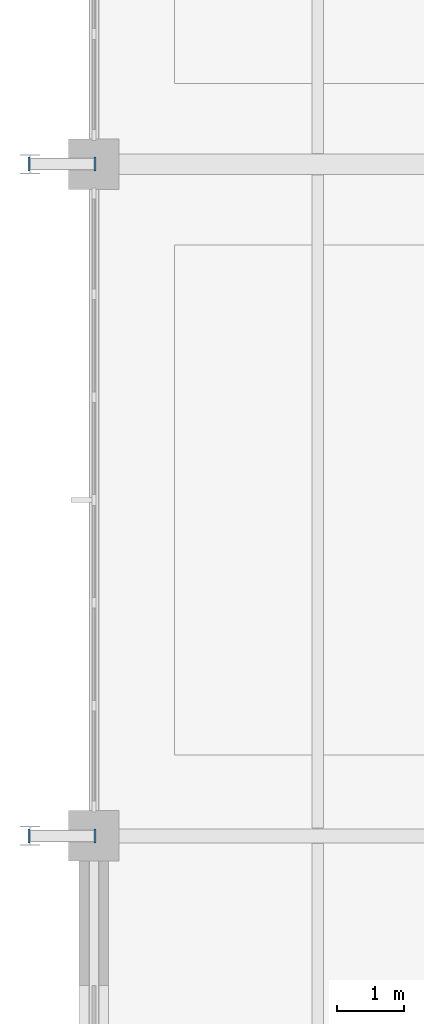
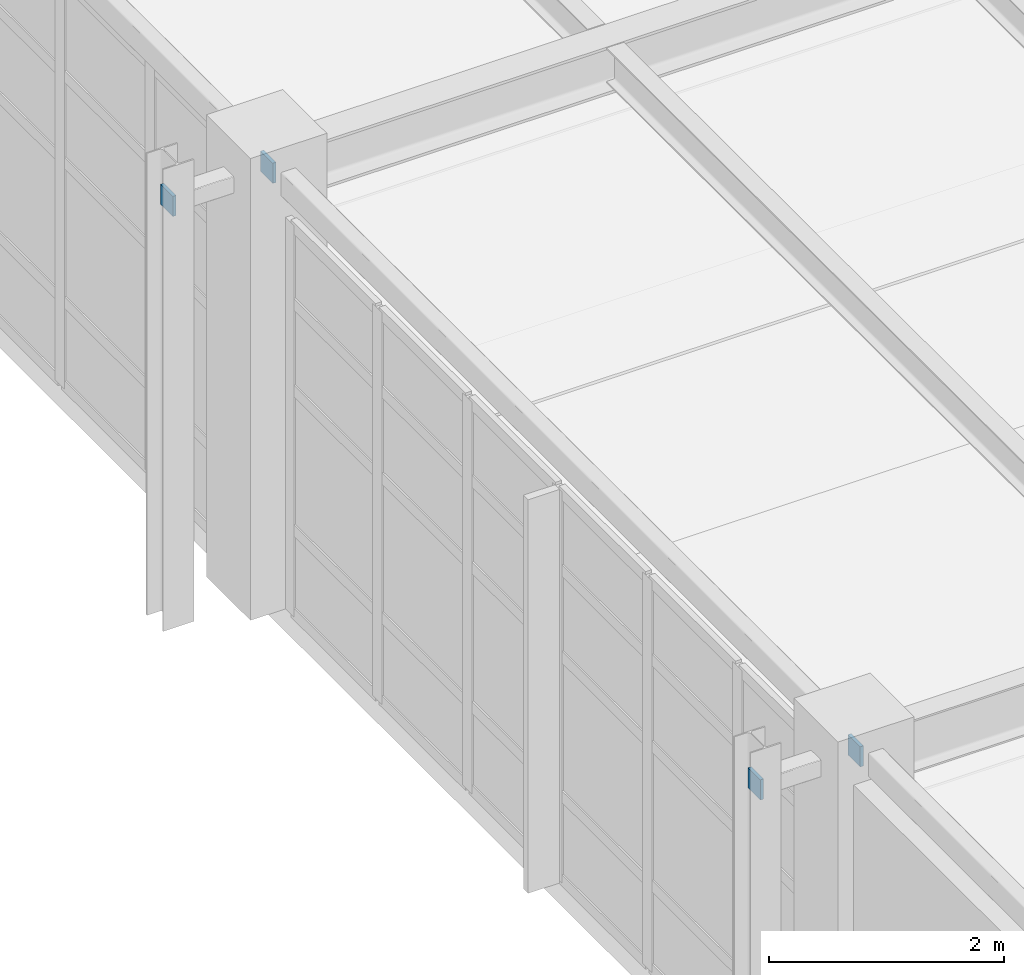
# One storey, part 106 of 139: 4 plates.
"""IFC4 building model written with IfcOpenShell, lengths in metres."""

import ifcopenshell
import ifcopenshell.guid

model = None  # the IFC model being written
_history = None  # IfcOwnerHistory: only IFC2X3 demands one
_inside = {}  # id of a spatial element -> (the spatial element, [elements in it])
_under = {}  # id of a project, library or spatial element -> (it, [spatial elements below it])
_declared = {}  # id of a project -> (the project, [libraries it declares])
_typed = {}  # id of a type object -> (the type object, [elements of that type])
_made_of = {}  # id of a material, layer set ... -> (it, [elements and type objects made of it])


def new_model(schema):
    """Start an empty IFC model of exactly this schema.

    Asked for "IFC4X3", IfcOpenShell would pick the latest addendum, in which some entities
    have other attributes; the version numbers below select the first issue.
    IFC2X3 requires an IfcOwnerHistory on every rooted entity: one is made here for all.
    """
    global model, _history
    if schema == "IFC4X3":
        model = ifcopenshell.file(schema_version=(4, 3, 0, 0))
    else:
        model = ifcopenshell.file(schema=schema)
    _inside.clear()
    _under.clear()
    _declared.clear()
    _typed.clear()
    _made_of.clear()
    _history = None
    if model.schema == "IFC2X3":
        org = make("IfcOrganization", Name="unknown")
        user = make(
            "IfcPersonAndOrganization",
            ThePerson=make("IfcPerson", FamilyName="unknown"),
            TheOrganization=org,
        )
        app = make(
            "IfcApplication",
            ApplicationDeveloper=org,
            Version="unknown",
            ApplicationFullName="unknown",
            ApplicationIdentifier="unknown",
        )
        _history = make(
            "IfcOwnerHistory",
            OwningUser=user,
            OwningApplication=app,
            ChangeAction="ADDED",
            CreationDate=0,
        )
    return model


def make(cls, **values):
    """One entity of the class cls with the attributes given. An attribute that is None is left unset."""
    return model.create_entity(
        cls, **{name: value for name, value in values.items() if value is not None}
    )


def rooted(cls, **values):
    """An entity with a GlobalId (a new one), such as an element, a storey or a relation."""
    return make(cls, GlobalId=ifcopenshell.guid.new(), OwnerHistory=_history, **values)


def si_unit(unit_type, name, prefix=None):
    """IfcSIUnit, for example si_unit("LENGTHUNIT", "METRE", prefix="MILLI")."""
    return make("IfcSIUnit", UnitType=unit_type, Prefix=prefix, Name=name)


def assignment(units):
    """IfcUnitAssignment: the units of a project."""
    return None if units is None else make("IfcUnitAssignment", Units=units)


def point(xyz):
    """IfcCartesianPoint."""
    return None if xyz is None else make("IfcCartesianPoint", Coordinates=xyz)


def direction(xyz):
    """IfcDirection."""
    return None if xyz is None else make("IfcDirection", DirectionRatios=xyz)


def frame(location, z_axis=None, x_axis=None):
    """IfcAxis2Placement3D, a coordinate frame: its origin and axes. An axis left out is left unset."""
    return make(
        "IfcAxis2Placement3D",
        Location=point(location),
        Axis=direction(z_axis),
        RefDirection=direction(x_axis),
    )


def frame_2d(location, x_axis=None):
    """IfcAxis2Placement2D, a coordinate frame in the plane: its origin and x axis."""
    return make(
        "IfcAxis2Placement2D", Location=point(location), RefDirection=direction(x_axis)
    )


def origin():
    """The frame at (0, 0, 0) with its axes left unset."""
    return frame((0.0, 0.0, 0.0))


def origin_2d():
    """The frame at (0, 0) in the plane with its x axis left unset."""
    return frame_2d((0.0, 0.0))


def place(relative_to, where):
    """IfcLocalPlacement: puts the frame where relative to a parent placement (None: the world)."""
    return make(
        "IfcLocalPlacement", PlacementRelTo=relative_to, RelativePlacement=where
    )


def context(
    kind, dimensions, precision=None, world=None, true_north=None, identifier=None
):
    """IfcGeometricRepresentationContext, for example the 3D "Model" context."""
    return make(
        "IfcGeometricRepresentationContext",
        ContextIdentifier=identifier,
        ContextType=kind,
        CoordinateSpaceDimension=dimensions,
        Precision=precision,
        WorldCoordinateSystem=world,
        TrueNorth=true_north,
    )


def subcontext(parent, identifier, kind, view, scale=None):
    """IfcGeometricRepresentationSubContext, for example "Body" below "Model"."""
    return make(
        "IfcGeometricRepresentationSubContext",
        ContextIdentifier=identifier,
        ContextType=kind,
        ParentContext=parent,
        TargetScale=scale,
        TargetView=view,
    )


def project(units=None, contexts=None):
    """IfcProject with its units and contexts."""
    return rooted(
        "IfcProject",
        Name="project",
        RepresentationContexts=contexts,
        UnitsInContext=assignment(units),
    )


def spatial(cls, under=None, at=None, **own):
    """A site, building, storey or space (cls), placed at a placement, below another one or the project."""
    s = rooted(cls, ObjectPlacement=at, **own)
    if under is not None:
        _under.setdefault(under.id(), (under, []))[1].append(s)
    return s


def profile(cls, at=None, kind="AREA", **sizes):
    """A parametric profile (cls). Its sizes go by their IFC names, for example OverallWidth=200.0."""
    return make(cls, ProfileType=kind, Position=at, **sizes)


def rectangle(**sizes):
    """IfcRectangleProfileDef."""
    return profile("IfcRectangleProfileDef", **sizes)


def extrude(swept, where, along, depth):
    """IfcExtrudedAreaSolid: the profile swept, set in the frame where, extruded along a direction by depth."""
    return make(
        "IfcExtrudedAreaSolid",
        SweptArea=swept,
        Position=where,
        ExtrudedDirection=direction(along),
        Depth=depth,
    )


def shape(context_of_items, identifier, shape_type, items):
    """IfcShapeRepresentation: the items that make up one representation, for example the "Body"."""
    return make(
        "IfcShapeRepresentation",
        ContextOfItems=context_of_items,
        RepresentationIdentifier=identifier,
        RepresentationType=shape_type,
        Items=items,
    )


def material(Name=None, Category=None):
    """IfcMaterial."""
    return make("IfcMaterial", Name=Name, Category=Category)


def layer(
    of_material, thickness, ventilated=None, Name=None, Category=None, Priority=None
):
    """IfcMaterialLayer: one layer of a wall or slab, of a material (None: an air gap)."""
    return make(
        "IfcMaterialLayer",
        Material=of_material,
        LayerThickness=thickness,
        IsVentilated=ventilated,
        Name=Name,
        Category=Category,
        Priority=Priority,
    )


def layer_set(layers, Name=None):
    """IfcMaterialLayerSet."""
    return make("IfcMaterialLayerSet", MaterialLayers=layers, LayerSetName=Name)


def made_of(thing, what):
    """Note that an element or type object is made of a material, layer set ...; save() writes the relation."""
    if what is not None:
        _made_of.setdefault(what.id(), (what, []))[1].append(thing)
    return thing


def type_object(cls, material=None, **own):
    """A type object (cls), such as IfcWallType, which elements share."""
    return made_of(rooted(cls, **own), material)


def element(
    cls,
    number,
    at=None,
    inside=None,
    cuts=None,
    type_object=None,
    material=None,
    context=None,
    identifier="Body",
    shape_type=None,
    held_by="IfcProductDefinitionShape",
    body=None,
    shapes=None,
    **own,
):
    """One element of the class cls, such as IfcWall. Its Tag is "e" and its number.

    at: its placement. inside: the storey or other place that contains it. cuts: it is an
    opening in that element (IfcRelVoidsElement). A single representation is given by context,
    identifier, shape_type and body (its items); several are given by shapes. held_by: the class
    of the entity that holds the representations. save() writes the other relations.
    """
    e = rooted(cls, Tag="e%d" % number, ObjectPlacement=at, **own)
    if body is not None:
        shapes = [shape(context, identifier, shape_type, body)]
    if shapes is not None:
        e.Representation = make(held_by, Representations=shapes)
    if inside is not None:
        _inside.setdefault(inside.id(), (inside, []))[1].append(e)
    if cuts is not None:
        rooted(
            "IfcRelVoidsElement", RelatingBuildingElement=cuts, RelatedOpeningElement=e
        )
    if type_object is not None:
        _typed.setdefault(type_object.id(), (type_object, []))[1].append(e)
    return made_of(e, material)


def aggregate(whole, parts):
    """IfcRelAggregates: a whole, such as a stair, and the parts it consists of."""
    return rooted("IfcRelAggregates", RelatingObject=whole, RelatedObjects=parts)


def save(model, path):
    """Write the relations noted so far, then the file.

    IfcRelAggregates (storeys below a building ...), IfcRelContainedInSpatialStructure (elements
    in a storey), IfcRelDefinesByType, IfcRelAssociatesMaterial and IfcRelDeclares: one each for
    every whole, place, type object, material and project.
    """
    for whole, parts in _under.values():
        aggregate(whole, parts)
    for where, things in _inside.values():
        rooted(
            "IfcRelContainedInSpatialStructure",
            RelatedElements=things,
            RelatingStructure=where,
        )
    for kind, things in _typed.values():
        rooted("IfcRelDefinesByType", RelatedObjects=things, RelatingType=kind)
    for what, things in _made_of.values():
        rooted("IfcRelAssociatesMaterial", RelatedObjects=things, RelatingMaterial=what)
    for by, libraries in _declared.values():
        rooted("IfcRelDeclares", RelatingContext=by, RelatedDefinitions=libraries)
    model.write(path)


model = new_model("IFC4")

# Units and contexts
model_context = context("Model", 3, precision=1e-05, world=origin(), true_north=direction((0.0, 1.0)))
body_context = subcontext(model_context, "Body", "Model", "MODEL_VIEW")
ifc_project = project(units=[si_unit("LENGTHUNIT", "METRE"), si_unit("AREAUNIT", "SQUARE_METRE"), si_unit("VOLUMEUNIT", "CUBIC_METRE"), si_unit("PLANEANGLEUNIT", "RADIAN"), si_unit("MASSUNIT", "GRAM", prefix="KILO"), si_unit("THERMODYNAMICTEMPERATUREUNIT", "KELVIN"), si_unit("POWERUNIT", "WATT")], contexts=[model_context])

# Site, building, storey
site_placement = place(None, origin())
site = spatial("IfcSite", under=ifc_project, at=site_placement, CompositionType="ELEMENT")
building_placement = place(site_placement, origin())
building = spatial("IfcBuilding", under=site, at=building_placement, Name="Korenveer Ferry Terminal", CompositionType="ELEMENT")
storey_placement = place(building_placement, frame((0.0, 0.0, 5.39990234375)))
storey = spatial("IfcBuildingStorey", under=building, at=storey_placement, Name="L01", CompositionType="ELEMENT", Elevation=5.39990234375)

# Plates
ifc_material = material(Name="Steel S355", Category="steel")
ifc_layer = layer(ifc_material, 0.031982421875)
ifc_layer_set = layer_set([ifc_layer], Name="Steel S355")
plate_type = type_object("IfcPlateType", Name="STR-PLT-CAP32", PredefinedType="USERDEFINED", material=ifc_layer_set)
for number, where, z_axis, x_axis, name in (
    (1, (-0.98193359375, 20.0, 4.35009765625), (1.0, 0.0, 0.0), (0.0, 1.0, 0.0), "Hollow section end cap 79"),
    (2, (0.0, 20.0, 4.35009765625), (1.0, 0.0, 0.0), (0.0, 1.0, 0.0), "Hollow section end cap 80"),
    (3, (-0.98193359375, 30.0, 4.35009765625), (1.0, 0.0, 0.0), (0.0, 1.0, 0.0), "Hollow section end cap 85"),
    (4, (0.0, 30.0, 4.35009765625), (1.0, 0.0, 0.0), (0.0, 1.0, 0.0), "Hollow section end cap 86"),
):
    element("IfcPlate", number, at=place(storey_placement, frame(where, z_axis=z_axis, x_axis=x_axis)), inside=storey, type_object=plate_type, Name=name, ObjectType="END CAP PLATE", PredefinedType="USERDEFINED", context=body_context, shape_type="SweptSolid", body=[
        extrude(rectangle(XDim=0.2099609375, YDim=0.2099609375, at=origin_2d()), origin(), (0.0, 0.0, 1.0), 0.031982421875),
    ])

save(model, "model.ifc")
